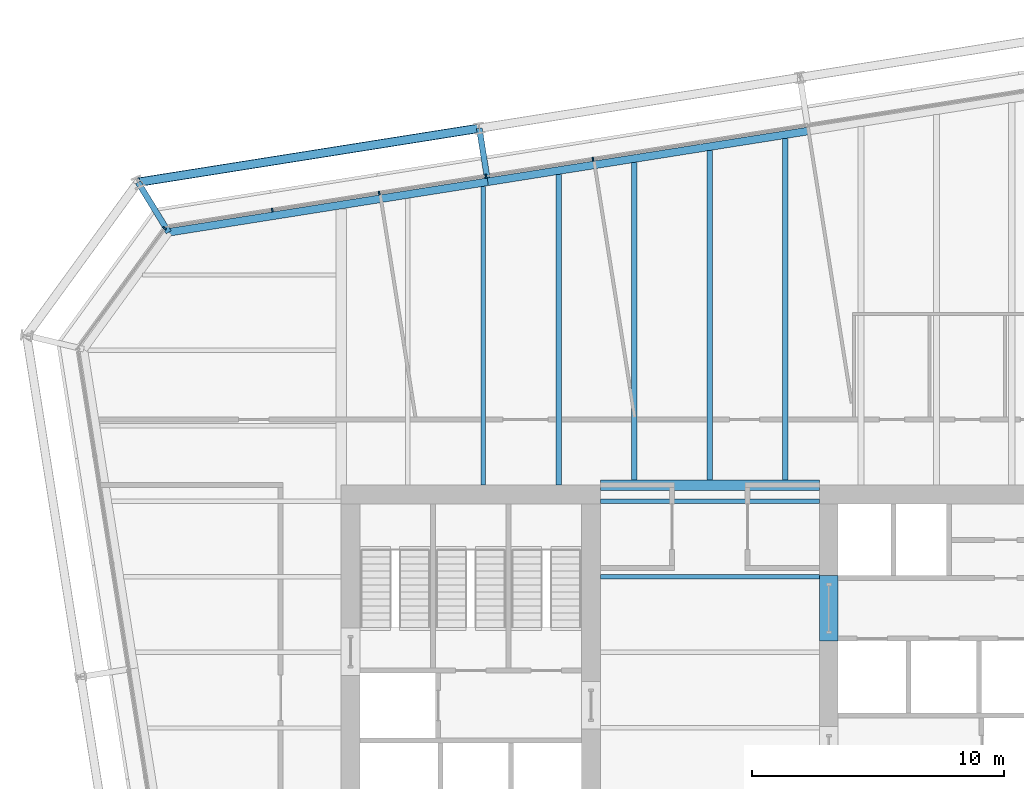
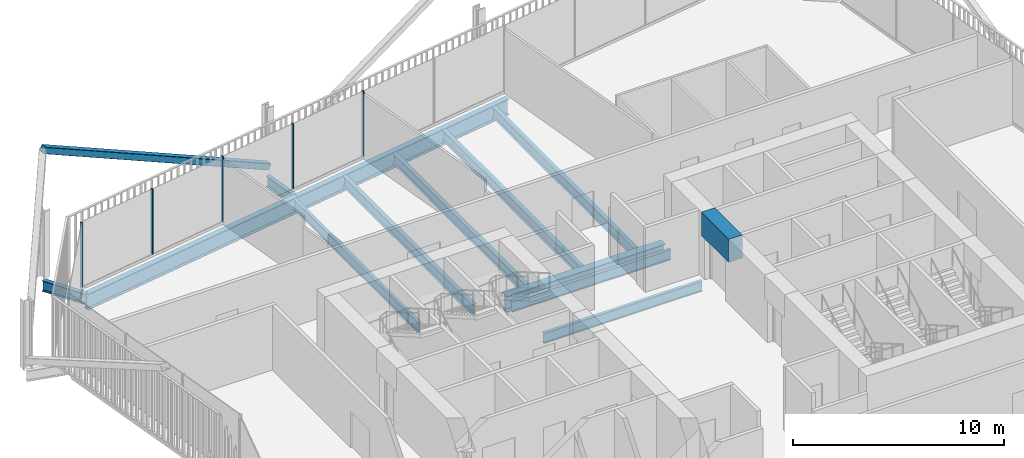
# One storey, part 11 of 22: 13 beams, 6 members, 2 elements without a shape of their own.
"""IFC4 building model written with IfcOpenShell, lengths in metres."""

from ifc_helpers import new_model, si_unit, direction, frame, origin, origin_2d, place, context, subcontext, project, spatial, rectangle, hollow_rectangle, i_section, extrude, material, layer, layer_set, material_profile, profile_set, type_object, element, aggregate, save


model = new_model("IFC4")

# Units and contexts
model_context = context("Model", 3, precision=1e-05, world=origin(), true_north=direction((0.0, 1.0)))
body_context = subcontext(model_context, "Body", "Model", "MODEL_VIEW")
ifc_project = project(units=[si_unit("LENGTHUNIT", "METRE"), si_unit("AREAUNIT", "SQUARE_METRE"), si_unit("VOLUMEUNIT", "CUBIC_METRE"), si_unit("PLANEANGLEUNIT", "RADIAN"), si_unit("MASSUNIT", "GRAM", prefix="KILO")], contexts=[model_context])

# Site, building, storey
site_placement = place(None, origin())
site = spatial("IfcSite", under=ifc_project, at=site_placement, CompositionType="ELEMENT")
building_placement = place(site_placement, origin())
building = spatial("IfcBuilding", under=site, at=building_placement, Name="Millrace Tower", CompositionType="ELEMENT")
storey_placement = place(building_placement, frame((0.0, 0.0, 152.89990234375)))
storey = spatial("IfcBuildingStorey", under=building, at=storey_placement, Name="L34", CompositionType="ELEMENT", Elevation=152.89990234375)

# Curtain wall, members
ifc_material_1 = material(Name="Aluminium and glass", Category="aluminium")
ifc_layer = layer(ifc_material_1, 0.14990234375)
ifc_layer_set = layer_set([ifc_layer], Name="Aluminium and glass")
curtain_wall_type = type_object("IfcCurtainWallType", Name="CW-1 office vision curtain wall", PredefinedType="NOTDEFINED", material=ifc_layer_set)
placement = place(storey_placement, origin())
curtain_wall_1 = element("IfcCurtainWall", 1, at=placement, inside=storey, type_object=curtain_wall_type, Name="Curtain wall C-F06 L34", PredefinedType="NOTDEFINED")
ifc_material_2 = material(Name="Aluminium", Category="aluminium")
ifc_material_profile_1 = material_profile(ifc_material_2, rectangle(XDim=0.06494140625, YDim=0.14990234375, at=origin_2d()))
ifc_profile_set_1 = profile_set([ifc_material_profile_1], Name="Aluminium")
member_type_1 = type_object("IfcMemberType", Name="CW-1 office vision curtain wall mullion", PredefinedType="MULLION", material=ifc_profile_set_1)
member_1_placement = place(storey_placement, frame((-4.6435546875, 22.59326171875, 0.14013671875), z_axis=(0.0, 0.0, 1.0), x_axis=(-0.98768833929, -0.15643447328, 0.0)))
member_1 = element("IfcMember", 2, at=member_1_placement, type_object=member_type_1, Name="CW1 mullion C-F06.6", PredefinedType="MULLION", context=body_context, shape_type="SweptSolid", body=[
    extrude(rectangle(XDim=0.06494140625, YDim=0.14990234375, at=origin_2d()), origin(), (0.0, 0.0, 1.0), 3.760009765625),
])
member_2_placement = place(storey_placement, frame((-8.890625, 21.920654296875, 0.14013671875), z_axis=(0.0, 0.0, 1.0), x_axis=(-0.98768833929, -0.15643447328, 0.0)))
member_2 = element("IfcMember", 3, at=member_2_placement, type_object=member_type_1, Name="CW1 mullion C-F06.7", PredefinedType="MULLION", context=body_context, shape_type="SweptSolid", body=[
    extrude(rectangle(XDim=0.06494140625, YDim=0.14990234375, at=origin_2d()), origin(), (0.0, 0.0, 1.0), 3.760009765625),
])
member_3_placement = place(storey_placement, frame((-13.1376953125, 21.248046875, 0.14013671875), z_axis=(0.0, 0.0, 1.0), x_axis=(-0.98768833929, -0.15643447328, 0.0)))
member_3 = element("IfcMember", 4, at=member_3_placement, type_object=member_type_1, Name="CW1 mullion C-F06.8", PredefinedType="MULLION", context=body_context, shape_type="SweptSolid", body=[
    extrude(rectangle(XDim=0.06494140625, YDim=0.14990234375, at=origin_2d()), origin(), (0.0, 0.0, 1.0), 3.760009765625),
])
member_4_placement = place(storey_placement, frame((-17.384765625, 20.575439453125, 0.14013671875), z_axis=(0.0, 0.0, 1.0), x_axis=(-0.98768833929, -0.15643447328, 0.0)))
member_4 = element("IfcMember", 5, at=member_4_placement, type_object=member_type_1, Name="CW1 mullion C-F06.9", PredefinedType="MULLION", context=body_context, shape_type="SweptSolid", body=[
    extrude(rectangle(XDim=0.06494140625, YDim=0.14990234375, at=origin_2d()), origin(), (0.0, 0.0, 1.0), 3.760009765625),
])
aggregate(curtain_wall_1, [member_1, member_2, member_3, member_4])

# Curtain wall, member
curtain_wall_2 = element("IfcCurtainWall", 6, at=placement, inside=storey, type_object=curtain_wall_type, Name="Curtain wall C-F07 L34", PredefinedType="NOTDEFINED")
member_5_placement = place(storey_placement, frame((-21.667724609375, 19.8515625, 0.14013671875), z_axis=(0.0, 0.0, 1.0), x_axis=(-0.587785269844, -0.809016981623, 0.0)))
member_5 = element("IfcMember", 7, at=member_5_placement, type_object=member_type_1, Name="CW1 mullion C-F07.1", PredefinedType="MULLION", context=body_context, shape_type="SweptSolid", body=[
    extrude(rectangle(XDim=0.06494140625, YDim=0.14990234375, at=origin_2d()), origin(), (0.0, 0.0, 1.0), 3.760009765625),
])
aggregate(curtain_wall_2, [member_5])

# Beam
ifc_material_3 = material(Name="Concrete C70", Category="concrete")
ifc_material_profile_2 = material_profile(ifc_material_3, rectangle(XDim=0.75, YDim=1.340087890625, at=origin_2d()))
ifc_profile_set_2 = profile_set([ifc_material_profile_2], Name="Concrete C70")
beam_type_1 = type_object("IfcBeamType", Name="Coupling beam 750 x 1340 Concrete C70, 2000 opening", PredefinedType="BEAM", material=ifc_profile_set_2)
beam_1_placement = place(storey_placement, frame((4.72509765625, 6.050048828125, 3.070068359375), z_axis=(0.0, -1.0, 0.0), x_axis=(1.0, 0.0, 0.0)))
element("IfcBeam", 8, at=beam_1_placement, inside=storey, type_object=beam_type_1, Name="Coupling beam E L34", PredefinedType="BEAM", context=body_context, shape_type="SweptSolid", body=[
    extrude(rectangle(XDim=0.75, YDim=1.340087890625, at=origin_2d()), origin(), (0.0, 0.0, 1.0), 2.60009765625),
])

# Member
ifc_material_4 = material(Name="Steel ASTM A500 Grade C", Category="steel")
ifc_material_profile_3 = material_profile(ifc_material_4, hollow_rectangle(XDim=0.355712890625, YDim=0.355712890625, WallThickness=0.015869140625, InnerFilletRadius=0.008056640625, OuterFilletRadius=0.02392578125, at=origin_2d()))
ifc_profile_set_3 = profile_set([ifc_material_profile_3], Name="Steel ASTM A500 Grade C")
member_type_2 = type_object("IfcMemberType", Name="Exoskeleton brace HSS14x14x5/8", PredefinedType="BRACE", material=ifc_profile_set_3)
member_6_placement = place(storey_placement, frame((-9.15966796875, 23.8271484375, 0.400146484375), z_axis=(-0.879904612171, -0.139370908249, 0.454250617407), x_axis=(0.156442906258, -0.987687003601, 0.0)))
element("IfcMember", 9, at=member_6_placement, inside=storey, type_object=member_type_2, Name="BRC-C-L34-12", PredefinedType="BRACE", context=body_context, shape_type="SweptSolid", body=[
    extrude(hollow_rectangle(XDim=0.355712890625, YDim=0.355712890625, WallThickness=0.015869140625, InnerFilletRadius=0.008056640625, OuterFilletRadius=0.02392578125, at=origin_2d()), origin(), (0.0, 0.0, 1.0), 15.409912109375),
])

# Beams
ifc_material_5 = material(Name="Steel ASTM A992 Grade 50", Category="steel")
ifc_material_profile_4 = material_profile(ifc_material_5, i_section(OverallWidth=0.177978515625, OverallDepth=0.599365234375, WebThickness=0.010009765625, FlangeThickness=0.012939453125, FilletRadius=0.012939453125, at=origin_2d()))
ifc_profile_set_4 = profile_set([ifc_material_profile_4], Name="Steel ASTM A992 Grade 50")
beam_type_2 = type_object("IfcBeamType", Name="Floor beam W24x55", PredefinedType="JOIST", material=ifc_profile_set_4)
for number, where, z_axis, x_axis, name in (
    (10, (-4.35009765625, 6.0, -0.459716796875), (1.0, 0.0, 0.0), (0.0, 1.0, 0.0), "BM-C-L34-S1-S025"),
    (11, (-4.35009765625, 9.0, -0.459716796875), (1.0, 0.0, 0.0), (0.0, 1.0, 0.0), "BM-C-L34-S1-S028"),
):
    element("IfcBeam", number, at=place(storey_placement, frame(where, z_axis=z_axis, x_axis=x_axis)), inside=storey, type_object=beam_type_2, Name=name, PredefinedType="JOIST", context=body_context, shape_type="SweptSolid", body=[
        extrude(i_section(OverallWidth=0.177978515625, OverallDepth=0.599365234375, WebThickness=0.010009765625, FlangeThickness=0.012939453125, FilletRadius=0.012939453125, at=origin_2d()), origin(), (0.0, 0.0, 1.0), 8.7001953125),
    ])
ifc_material_6 = material(Name="Steel ASTM A992 Grade 50", Category="steel")
ifc_material_profile_5 = material_profile(ifc_material_6, i_section(OverallWidth=0.1787109375, OverallDepth=0.60205078125, WebThickness=0.010986328125, FlangeThickness=0.014892578125, FilletRadius=0.0126953125, at=origin_2d()))
ifc_profile_set_5 = profile_set([ifc_material_profile_5], Name="Steel ASTM A992 Grade 50")
beam_type_3 = type_object("IfcBeamType", Name="Floor beam W24x62", PredefinedType="JOIST", material=ifc_profile_set_5)
beam_2_placement = place(storey_placement, frame((-9.0, 9.64990234375, -0.4609375), z_axis=(0.0, 1.0, 0.0), x_axis=(-1.0, 0.0, 0.0)))
element("IfcBeam", 12, at=beam_2_placement, inside=storey, type_object=beam_type_3, Name="BM-C-L34-S1-S041", PredefinedType="JOIST", context=body_context, shape_type="SweptSolid", body=[
    extrude(i_section(OverallWidth=0.1787109375, OverallDepth=0.60205078125, WebThickness=0.010986328125, FlangeThickness=0.014892578125, FilletRadius=0.0126953125, at=origin_2d()), origin(), (0.0, 0.0, 1.0), 11.866455078125),
])
ifc_material_7 = material(Name="Steel ASTM A992 Grade 50", Category="steel")
ifc_material_profile_6 = material_profile(ifc_material_7, i_section(OverallWidth=0.228271484375, OverallDepth=0.607177734375, WebThickness=0.01123046875, FlangeThickness=0.017333984375, FilletRadius=0.0126953125, at=origin_2d()))
ifc_profile_set_6 = profile_set([ifc_material_profile_6], Name="Steel ASTM A992 Grade 50")
beam_type_4 = type_object("IfcBeamType", Name="Floor beam W24x76", PredefinedType="JOIST", material=ifc_profile_set_6)
beam_3_placement = place(storey_placement, frame((-6.0, 9.64990234375, -0.46337890625), z_axis=(0.0, 1.0, 0.0), x_axis=(-1.0, 0.0, 0.0)))
element("IfcBeam", 13, at=beam_3_placement, inside=storey, type_object=beam_type_4, Name="BM-C-L34-S1-S043", PredefinedType="JOIST", context=body_context, shape_type="SweptSolid", body=[
    extrude(i_section(OverallWidth=0.228271484375, OverallDepth=0.607177734375, WebThickness=0.01123046875, FlangeThickness=0.017333984375, FilletRadius=0.0126953125, at=origin_2d()), origin(), (0.0, 0.0, 1.0), 12.341552734375),
])
beam_4_placement = place(storey_placement, frame((-3.0, 9.859619140625, -0.46337890625), z_axis=(0.0, 1.0, 0.0), x_axis=(-1.0, 0.0, 0.0)))
element("IfcBeam", 14, at=beam_4_placement, inside=storey, type_object=beam_type_4, Name="BM-C-L34-S1-S045", PredefinedType="JOIST", context=body_context, shape_type="SweptSolid", body=[
    extrude(i_section(OverallWidth=0.228271484375, OverallDepth=0.607177734375, WebThickness=0.01123046875, FlangeThickness=0.017333984375, FilletRadius=0.0126953125, at=origin_2d()), origin(), (0.0, 0.0, 1.0), 12.60693359375),
])
beam_5_placement = place(storey_placement, frame((0.0, 9.859619140625, -0.46337890625), z_axis=(0.0, 1.0, 0.0), x_axis=(-1.0, 0.0, 0.0)))
element("IfcBeam", 15, at=beam_5_placement, inside=storey, type_object=beam_type_4, Name="BM-C-L34-S1-S047", PredefinedType="JOIST", context=body_context, shape_type="SweptSolid", body=[
    extrude(i_section(OverallWidth=0.228271484375, OverallDepth=0.607177734375, WebThickness=0.01123046875, FlangeThickness=0.017333984375, FilletRadius=0.0126953125, at=origin_2d()), origin(), (0.0, 0.0, 1.0), 13.08203125),
])
beam_6_placement = place(storey_placement, frame((3.0, 9.859619140625, -0.46337890625), z_axis=(0.0, 1.0, 0.0), x_axis=(-1.0, 0.0, 0.0)))
element("IfcBeam", 16, at=beam_6_placement, inside=storey, type_object=beam_type_4, Name="BM-C-L34-S1-S049", PredefinedType="JOIST", context=body_context, shape_type="SweptSolid", body=[
    extrude(i_section(OverallWidth=0.228271484375, OverallDepth=0.607177734375, WebThickness=0.01123046875, FlangeThickness=0.017333984375, FilletRadius=0.0126953125, at=origin_2d()), origin(), (0.0, 0.0, 1.0), 13.55712890625),
])
ifc_material_8 = material(Name="Steel ASTM A992 Grade 50", Category="steel")
ifc_material_profile_7 = material_profile(ifc_material_8, i_section(OverallWidth=0.419189453125, OverallDepth=0.927001953125, WebThickness=0.019287109375, FlangeThickness=0.031982421875, FilletRadius=0.024169921875, at=origin_2d()))
ifc_profile_set_7 = profile_set([ifc_material_profile_7], Name="Steel ASTM A992 Grade 50")
beam_type_5 = type_object("IfcBeamType", Name="Girder short span W36x231", PredefinedType="BEAM", material=ifc_profile_set_7)
beam_7_placement = place(storey_placement, frame((-4.35009765625, 9.64990234375, -0.62353515625), z_axis=(1.0, 0.0, 0.0), x_axis=(0.0, 1.0, 0.0)))
element("IfcBeam", 17, at=beam_7_placement, inside=storey, type_object=beam_type_5, Name="BM-C-L34-S1-G061", PredefinedType="BEAM", context=body_context, shape_type="SweptSolid", body=[
    extrude(i_section(OverallWidth=0.419189453125, OverallDepth=0.927001953125, WebThickness=0.019287109375, FlangeThickness=0.031982421875, FilletRadius=0.024169921875, at=origin_2d()), origin(), (0.0, 0.0, 1.0), 8.7001953125),
])
ifc_material_9 = material(Name="Steel ASTM A992 Grade 50", Category="steel")
ifc_material_profile_8 = material_profile(ifc_material_9, i_section(OverallWidth=0.23046875, OverallDepth=0.6171875, WebThickness=0.01318359375, FlangeThickness=0.022216796875, FilletRadius=0.012939453125, at=origin_2d()))
ifc_profile_set_8 = profile_set([ifc_material_profile_8], Name="Steel ASTM A992 Grade 50")
beam_type_6 = type_object("IfcBeamType", Name="Link beam W24x94", PredefinedType="BEAM", material=ifc_profile_set_8)
beam_8_placement = place(storey_placement, frame((-21.5009765625, 19.69189453125, -0.468505859375), z_axis=(-0.522512938711, 0.852631355792, 0.0), x_axis=(-0.852631355792, -0.522512938711, 0.0)))
element("IfcBeam", 18, at=beam_8_placement, inside=storey, type_object=beam_type_6, Name="LNK-C-L34-S1-05", PredefinedType="BEAM", context=body_context, shape_type="SweptSolid", body=[
    extrude(i_section(OverallWidth=0.23046875, OverallDepth=0.6171875, WebThickness=0.01318359375, FlangeThickness=0.022216796875, FilletRadius=0.012939453125, at=origin_2d()), origin(), (0.0, 0.0, 1.0), 2.3310546875),
])
beam_9_placement = place(storey_placement, frame((-8.8466796875, 21.8515625, -0.468505859375), z_axis=(-0.156476509441, 0.987681680499, 0.0), x_axis=(-0.987681680499, -0.156476509441, 0.0)))
element("IfcBeam", 19, at=beam_9_placement, inside=storey, type_object=beam_type_6, Name="LNK-C-L34-S1-06", PredefinedType="BEAM", context=body_context, shape_type="SweptSolid", body=[
    extrude(i_section(OverallWidth=0.23046875, OverallDepth=0.6171875, WebThickness=0.01318359375, FlangeThickness=0.022216796875, FilletRadius=0.012939453125, at=origin_2d()), origin(), (0.0, 0.0, 1.0), 2.000244140625),
])
ifc_material_10 = material(Name="Steel ASTM A992 Grade 50", Category="steel")
ifc_material_profile_9 = material_profile(ifc_material_10, i_section(OverallWidth=0.307373046875, OverallDepth=0.927001953125, WebThickness=0.01953125, FlangeThickness=0.031982421875, FilletRadius=0.01904296875, at=origin_2d()))
ifc_profile_set_9 = profile_set([ifc_material_profile_9], Name="Steel ASTM A992 Grade 50")
beam_type_7 = type_object("IfcBeamType", Name="Ring beam medium span W36x194", PredefinedType="SPANDREL", material=ifc_profile_set_9)
beam_10_placement = place(storey_placement, frame((-21.5009765625, 19.69189453125, -0.62353515625), z_axis=(0.987688058438, 0.156436246498, 0.0), x_axis=(-0.156436246498, 0.987688058438, 0.0)))
element("IfcBeam", 20, at=beam_10_placement, inside=storey, type_object=beam_type_7, Name="RNG-C-L34-S1-05", PredefinedType="SPANDREL", context=body_context, shape_type="SweptSolid", body=[
    extrude(i_section(OverallWidth=0.307373046875, OverallDepth=0.927001953125, WebThickness=0.01953125, FlangeThickness=0.031982421875, FilletRadius=0.01904296875, at=origin_2d()), origin(), (0.0, 0.0, 1.0), 12.836181640625),
])
beam_11_placement = place(storey_placement, frame((-8.82275390625, 21.699951171875, -0.62353515625), z_axis=(0.987687659758, 0.156438763615, 0.0), x_axis=(-0.156438763615, 0.987687659758, 0.0)))
element("IfcBeam", 21, at=beam_11_placement, inside=storey, type_object=beam_type_7, Name="RNG-C-L34-S1-06", PredefinedType="SPANDREL", context=body_context, shape_type="SweptSolid", body=[
    extrude(i_section(OverallWidth=0.307373046875, OverallDepth=0.927001953125, WebThickness=0.01953125, FlangeThickness=0.031982421875, FilletRadius=0.01904296875, at=origin_2d()), origin(), (0.0, 0.0, 1.0), 12.900146484375),
])

save(model, "model.ifc")
